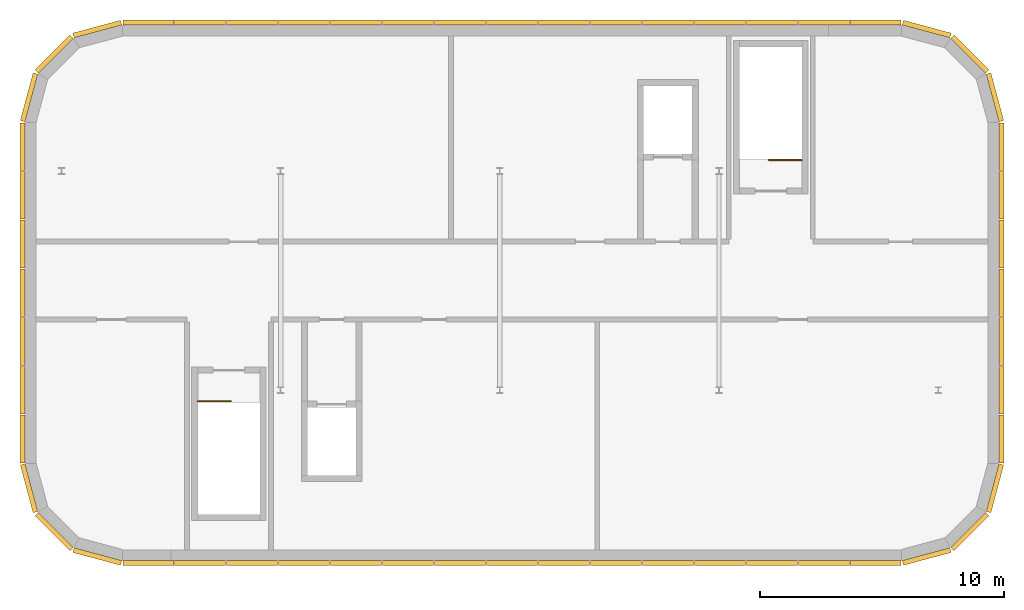
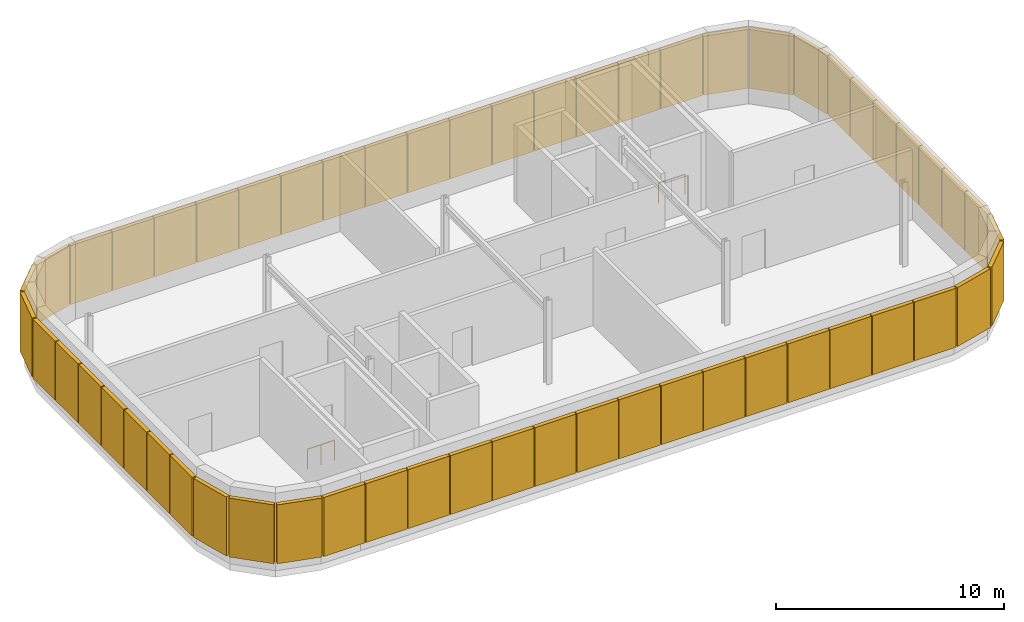
# One storey, part 4 of 4: 56 shading devices, 2 railings.
"""IFC4 building model written with IfcOpenShell, lengths in metres."""

from ifc_helpers import new_model, si_unit, direction, frame, origin, origin_2d, place, context, subcontext, project, spatial, rectangle, circle, extrude, material, type_object, element, save


model = new_model("IFC4")

# Units and contexts
model_context = context("Model", 3, precision=1e-05, world=origin(), true_north=direction((0.0, 1.0)))
body_context = subcontext(model_context, "Body", "Model", "MODEL_VIEW")
ifc_project = project(units=[si_unit("LENGTHUNIT", "METRE"), si_unit("AREAUNIT", "SQUARE_METRE"), si_unit("VOLUMEUNIT", "CUBIC_METRE"), si_unit("PLANEANGLEUNIT", "RADIAN"), si_unit("MASSUNIT", "GRAM", prefix="KILO")], contexts=[model_context])

# Site, building, storey
site_placement = place(None, origin())
site = spatial("IfcSite", under=ifc_project, at=site_placement, CompositionType="ELEMENT")
building_placement = place(site_placement, origin())
building = spatial("IfcBuilding", under=site, at=building_placement, Name="Kajstack Hotel Tower", CompositionType="ELEMENT")
storey_placement = place(building_placement, frame((0.0, 0.0, 329.800048828125)))
storey = spatial("IfcBuildingStorey", under=building, at=storey_placement, Name="RF", CompositionType="ELEMENT", Elevation=329.800048828125)

# Railings
ifc_material = material(Name="Steel S355J2", Category="steel")
railing_type = type_object("IfcRailingType", Name="Stair guard 1100", PredefinedType="GUARDRAIL", material=ifc_material)
railing_1_placement = place(storey_placement, frame((-12.39990234375, -4.949951171875, 0.0)))
element("IfcRailing", 1, at=railing_1_placement, inside=storey, type_object=railing_type, Name="RF R1 top well guard 1", PredefinedType="GUARDRAIL", context=body_context, shape_type="SweptSolid", body=[
    extrude(circle(Radius=0.02392578125, at=origin_2d()), frame((0.0, 0.0, 1.076171875), z_axis=(1.0, 0.0, 0.0), x_axis=(0.0, 1.0, 0.0)), (0.0, 0.0, 1.0), 1.349853515625),
    extrude(circle(Radius=0.02099609375, at=origin_2d()), origin(), (0.0, 0.0, 1.0), 1.052001953125),
    extrude(circle(Radius=0.02099609375, at=origin_2d()), frame((0.6748046875, 0.0, 0.0)), (0.0, 0.0, 1.0), 1.052001953125),
    extrude(circle(Radius=0.02099609375, at=origin_2d()), frame((1.349853515625, 0.0, 0.0)), (0.0, 0.0, 1.0), 1.052001953125),
])
railing_2_placement = place(storey_placement, frame((12.39990234375, 4.949951171875, 0.0)))
element("IfcRailing", 2, at=railing_2_placement, inside=storey, type_object=railing_type, Name="RF R2 top well guard 1", PredefinedType="GUARDRAIL", context=body_context, shape_type="SweptSolid", body=[
    extrude(circle(Radius=0.02392578125, at=origin_2d()), frame((0.0, 0.0, 1.076171875), z_axis=(-1.0, 0.0, 0.0), x_axis=(0.0, -1.0, 0.0)), (0.0, 0.0, 1.0), 1.349853515625),
    extrude(circle(Radius=0.02099609375, at=origin_2d()), origin(), (0.0, 0.0, 1.0), 1.052001953125),
    extrude(circle(Radius=0.02099609375, at=origin_2d()), frame((-0.6748046875, 0.0, 0.0)), (0.0, 0.0, 1.0), 1.052001953125),
    extrude(circle(Radius=0.02099609375, at=origin_2d()), frame((-1.349853515625, 0.0, 0.0)), (0.0, 0.0, 1.0), 1.052001953125),
])

# Shading devices
for number, where, z_axis, x_axis, name in (
    (3, (-19.32861328125, -8.52587890625, 0.5), (0.0, 0.0, 1.0), (0.258819770022, -0.965925632047, 0.0), "Louvre RF-00-01"),
    (4, (-18.302734375, -10.302734375, 0.5), (0.0, 0.0, 1.0), (0.707106781187, -0.707106781187, 0.0), "Louvre RF-01-01"),
    (5, (-16.52587890625, -11.32861328125, 0.5), (0.0, 0.0, 1.0), (0.965925632047, -0.258819770022, 0.0), "Louvre RF-02-01"),
):
    element("IfcShadingDevice", number, at=place(storey_placement, frame(where, z_axis=z_axis, x_axis=x_axis)), inside=storey, Name=name, ObjectType="LOUVRE", PredefinedType="USERDEFINED", context=body_context, shape_type="SweptSolid", body=[
        extrude(rectangle(XDim=2.030517578125, YDim=0.199951171875, at=origin_2d()), origin(), (0.0, 0.0, 1.0), 3.14990234375),
    ])
for number, where, z_axis, x_axis, name in (
    (6, (-14.433349609375, -11.60009765625, 0.5), (0.0, 0.0, 1.0), (1.0, 0.0, 0.0), "Louvre RF-03-01"),
    (7, (-12.300048828125, -11.60009765625, 0.5), (0.0, 0.0, 1.0), (1.0, 0.0, 0.0), "Louvre RF-03-02"),
    (8, (-10.166748046875, -11.60009765625, 0.5), (0.0, 0.0, 1.0), (1.0, 0.0, 0.0), "Louvre RF-03-03"),
    (9, (-8.033447265625, -11.60009765625, 0.5), (0.0, 0.0, 1.0), (1.0, 0.0, 0.0), "Louvre RF-03-04"),
    (10, (-5.89990234375, -11.60009765625, 0.5), (0.0, 0.0, 1.0), (1.0, 0.0, 0.0), "Louvre RF-03-05"),
    (11, (-3.7666015625, -11.60009765625, 0.5), (0.0, 0.0, 1.0), (1.0, 0.0, 0.0), "Louvre RF-03-06"),
    (12, (-1.63330078125, -11.60009765625, 0.5), (0.0, 0.0, 1.0), (1.0, 0.0, 0.0), "Louvre RF-03-07"),
    (13, (0.5, -11.60009765625, 0.5), (0.0, 0.0, 1.0), (1.0, 0.0, 0.0), "Louvre RF-03-08"),
    (14, (2.63330078125, -11.60009765625, 0.5), (0.0, 0.0, 1.0), (1.0, 0.0, 0.0), "Louvre RF-03-09"),
    (15, (4.7666015625, -11.60009765625, 0.5), (0.0, 0.0, 1.0), (1.0, 0.0, 0.0), "Louvre RF-03-10"),
    (16, (6.89990234375, -11.60009765625, 0.5), (0.0, 0.0, 1.0), (1.0, 0.0, 0.0), "Louvre RF-03-11"),
    (17, (9.033447265625, -11.60009765625, 0.5), (0.0, 0.0, 1.0), (1.0, 0.0, 0.0), "Louvre RF-03-12"),
    (18, (11.166748046875, -11.60009765625, 0.5), (0.0, 0.0, 1.0), (1.0, 0.0, 0.0), "Louvre RF-03-13"),
    (19, (13.300048828125, -11.60009765625, 0.5), (0.0, 0.0, 1.0), (1.0, 0.0, 0.0), "Louvre RF-03-14"),
    (20, (15.433349609375, -11.60009765625, 0.5), (0.0, 0.0, 1.0), (1.0, 0.0, 0.0), "Louvre RF-03-15"),
):
    element("IfcShadingDevice", number, at=place(storey_placement, frame(where, z_axis=z_axis, x_axis=x_axis)), inside=storey, Name=name, ObjectType="LOUVRE", PredefinedType="USERDEFINED", context=body_context, shape_type="SweptSolid", body=[
        extrude(rectangle(XDim=2.09326171875, YDim=0.199951171875, at=origin_2d()), origin(), (0.0, 0.0, 1.0), 3.14990234375),
    ])
for number, where, z_axis, x_axis, name in (
    (21, (17.52587890625, -11.32861328125, 0.5), (0.0, 0.0, 1.0), (0.965925632047, 0.258819770022, 0.0), "Louvre RF-04-01"),
    (22, (19.302734375, -10.302734375, 0.5), (0.0, 0.0, 1.0), (0.707106781187, 0.707106781187, 0.0), "Louvre RF-05-01"),
    (23, (20.32861328125, -8.52587890625, 0.5), (0.0, 0.0, 1.0), (0.258819770022, 0.965925632047, 0.0), "Louvre RF-06-01"),
):
    element("IfcShadingDevice", number, at=place(storey_placement, frame(where, z_axis=z_axis, x_axis=x_axis)), inside=storey, Name=name, ObjectType="LOUVRE", PredefinedType="USERDEFINED", context=body_context, shape_type="SweptSolid", body=[
        extrude(rectangle(XDim=2.030517578125, YDim=0.199951171875, at=origin_2d()), origin(), (0.0, 0.0, 1.0), 3.14990234375),
    ])
for number, where, z_axis, x_axis, name in (
    (24, (20.60009765625, -6.5, 0.5), (0.0, 0.0, 1.0), (0.0, 1.0, 0.0), "Louvre RF-07-01"),
    (25, (20.60009765625, -4.5, 0.5), (0.0, 0.0, 1.0), (0.0, 1.0, 0.0), "Louvre RF-07-02"),
    (26, (20.60009765625, -2.5, 0.5), (0.0, 0.0, 1.0), (0.0, 1.0, 0.0), "Louvre RF-07-03"),
    (27, (20.60009765625, -0.5, 0.5), (0.0, 0.0, 1.0), (0.0, 1.0, 0.0), "Louvre RF-07-04"),
    (28, (20.60009765625, 1.5, 0.5), (0.0, 0.0, 1.0), (0.0, 1.0, 0.0), "Louvre RF-07-05"),
    (29, (20.60009765625, 3.5, 0.5), (0.0, 0.0, 1.0), (0.0, 1.0, 0.0), "Louvre RF-07-06"),
    (30, (20.60009765625, 5.5, 0.5), (0.0, 0.0, 1.0), (0.0, 1.0, 0.0), "Louvre RF-07-07"),
):
    element("IfcShadingDevice", number, at=place(storey_placement, frame(where, z_axis=z_axis, x_axis=x_axis)), inside=storey, Name=name, ObjectType="LOUVRE", PredefinedType="USERDEFINED", context=body_context, shape_type="SweptSolid", body=[
        extrude(rectangle(XDim=1.9599609375, YDim=0.199951171875, at=origin_2d()), origin(), (0.0, 0.0, 1.0), 3.14990234375),
    ])
for number, where, z_axis, x_axis, name in (
    (31, (20.32861328125, 7.52587890625, 0.5), (0.0, 0.0, 1.0), (-0.258819770022, 0.965925632047, 0.0), "Louvre RF-08-01"),
    (32, (19.302734375, 9.302734375, 0.5), (0.0, 0.0, 1.0), (-0.707106781187, 0.707106781187, 0.0), "Louvre RF-09-01"),
    (33, (17.52587890625, 10.32861328125, 0.5), (0.0, 0.0, 1.0), (-0.965925632047, 0.258819770022, 0.0), "Louvre RF-10-01"),
):
    element("IfcShadingDevice", number, at=place(storey_placement, frame(where, z_axis=z_axis, x_axis=x_axis)), inside=storey, Name=name, ObjectType="LOUVRE", PredefinedType="USERDEFINED", context=body_context, shape_type="SweptSolid", body=[
        extrude(rectangle(XDim=2.030517578125, YDim=0.199951171875, at=origin_2d()), origin(), (0.0, 0.0, 1.0), 3.14990234375),
    ])
for number, where, z_axis, x_axis, name in (
    (34, (15.433349609375, 10.60009765625, 0.5), (0.0, 0.0, 1.0), (-1.0, 0.0, 0.0), "Louvre RF-11-01"),
    (35, (13.300048828125, 10.60009765625, 0.5), (0.0, 0.0, 1.0), (-1.0, 0.0, 0.0), "Louvre RF-11-02"),
    (36, (11.166748046875, 10.60009765625, 0.5), (0.0, 0.0, 1.0), (-1.0, 0.0, 0.0), "Louvre RF-11-03"),
    (37, (9.033447265625, 10.60009765625, 0.5), (0.0, 0.0, 1.0), (-1.0, 0.0, 0.0), "Louvre RF-11-04"),
    (38, (6.89990234375, 10.60009765625, 0.5), (0.0, 0.0, 1.0), (-1.0, 0.0, 0.0), "Louvre RF-11-05"),
    (39, (4.7666015625, 10.60009765625, 0.5), (0.0, 0.0, 1.0), (-1.0, 0.0, 0.0), "Louvre RF-11-06"),
    (40, (2.63330078125, 10.60009765625, 0.5), (0.0, 0.0, 1.0), (-1.0, 0.0, 0.0), "Louvre RF-11-07"),
    (41, (0.5, 10.60009765625, 0.5), (0.0, 0.0, 1.0), (-1.0, 0.0, 0.0), "Louvre RF-11-08"),
    (42, (-1.63330078125, 10.60009765625, 0.5), (0.0, 0.0, 1.0), (-1.0, 0.0, 0.0), "Louvre RF-11-09"),
    (43, (-3.7666015625, 10.60009765625, 0.5), (0.0, 0.0, 1.0), (-1.0, 0.0, 0.0), "Louvre RF-11-10"),
    (44, (-5.89990234375, 10.60009765625, 0.5), (0.0, 0.0, 1.0), (-1.0, 0.0, 0.0), "Louvre RF-11-11"),
    (45, (-8.033447265625, 10.60009765625, 0.5), (0.0, 0.0, 1.0), (-1.0, 0.0, 0.0), "Louvre RF-11-12"),
    (46, (-10.166748046875, 10.60009765625, 0.5), (0.0, 0.0, 1.0), (-1.0, 0.0, 0.0), "Louvre RF-11-13"),
    (47, (-12.300048828125, 10.60009765625, 0.5), (0.0, 0.0, 1.0), (-1.0, 0.0, 0.0), "Louvre RF-11-14"),
    (48, (-14.433349609375, 10.60009765625, 0.5), (0.0, 0.0, 1.0), (-1.0, 0.0, 0.0), "Louvre RF-11-15"),
):
    element("IfcShadingDevice", number, at=place(storey_placement, frame(where, z_axis=z_axis, x_axis=x_axis)), inside=storey, Name=name, ObjectType="LOUVRE", PredefinedType="USERDEFINED", context=body_context, shape_type="SweptSolid", body=[
        extrude(rectangle(XDim=2.09326171875, YDim=0.199951171875, at=origin_2d()), origin(), (0.0, 0.0, 1.0), 3.14990234375),
    ])
for number, where, z_axis, x_axis, name in (
    (49, (-16.52587890625, 10.32861328125, 0.5), (0.0, 0.0, 1.0), (-0.965925632047, -0.258819770022, 0.0), "Louvre RF-12-01"),
    (50, (-18.302734375, 9.302734375, 0.5), (0.0, 0.0, 1.0), (-0.707106781187, -0.707106781187, 0.0), "Louvre RF-13-01"),
    (51, (-19.32861328125, 7.52587890625, 0.5), (0.0, 0.0, 1.0), (-0.258819770022, -0.965925632047, 0.0), "Louvre RF-14-01"),
):
    element("IfcShadingDevice", number, at=place(storey_placement, frame(where, z_axis=z_axis, x_axis=x_axis)), inside=storey, Name=name, ObjectType="LOUVRE", PredefinedType="USERDEFINED", context=body_context, shape_type="SweptSolid", body=[
        extrude(rectangle(XDim=2.030517578125, YDim=0.199951171875, at=origin_2d()), origin(), (0.0, 0.0, 1.0), 3.14990234375),
    ])
for number, where, z_axis, x_axis, name in (
    (52, (-19.60009765625, 5.5, 0.5), (0.0, 0.0, 1.0), (0.0, -1.0, 0.0), "Louvre RF-15-01"),
    (53, (-19.60009765625, 3.5, 0.5), (0.0, 0.0, 1.0), (0.0, -1.0, 0.0), "Louvre RF-15-02"),
    (54, (-19.60009765625, 1.5, 0.5), (0.0, 0.0, 1.0), (0.0, -1.0, 0.0), "Louvre RF-15-03"),
    (55, (-19.60009765625, -0.5, 0.5), (0.0, 0.0, 1.0), (0.0, -1.0, 0.0), "Louvre RF-15-04"),
    (56, (-19.60009765625, -2.5, 0.5), (0.0, 0.0, 1.0), (0.0, -1.0, 0.0), "Louvre RF-15-05"),
    (57, (-19.60009765625, -4.5, 0.5), (0.0, 0.0, 1.0), (0.0, -1.0, 0.0), "Louvre RF-15-06"),
    (58, (-19.60009765625, -6.5, 0.5), (0.0, 0.0, 1.0), (0.0, -1.0, 0.0), "Louvre RF-15-07"),
):
    element("IfcShadingDevice", number, at=place(storey_placement, frame(where, z_axis=z_axis, x_axis=x_axis)), inside=storey, Name=name, ObjectType="LOUVRE", PredefinedType="USERDEFINED", context=body_context, shape_type="SweptSolid", body=[
        extrude(rectangle(XDim=1.9599609375, YDim=0.199951171875, at=origin_2d()), origin(), (0.0, 0.0, 1.0), 3.14990234375),
    ])

save(model, "model.ifc")
